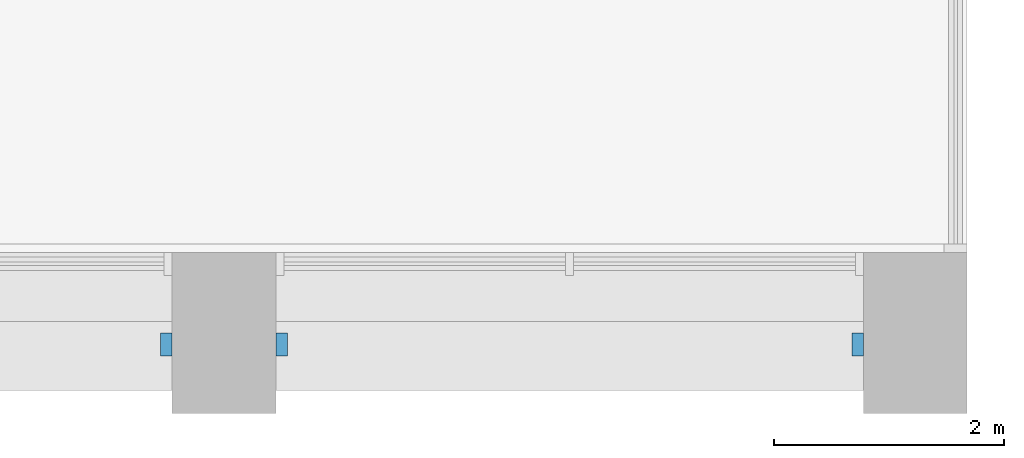
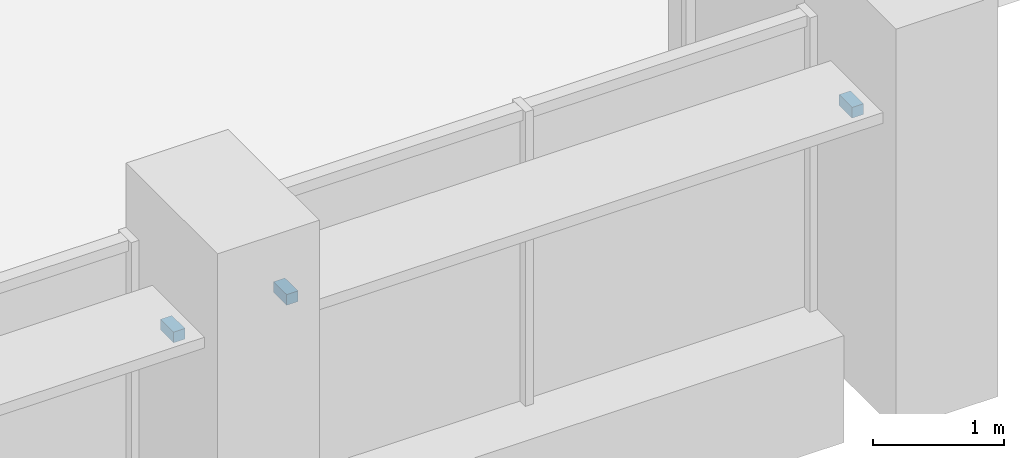
# One storey, part 14 of 15: 3 discrete accessories.
"""IFC4 building model written with IfcOpenShell, lengths in metres."""

from ifc_helpers import new_model, si_unit, direction, frame, origin, origin_2d, place, context, subcontext, project, spatial, rectangle, extrude, element, save


model = new_model("IFC4")

# Units and contexts
model_context = context("Model", 3, precision=1e-05, world=origin(), true_north=direction((0.0, 1.0)))
body_context = subcontext(model_context, "Body", "Model", "MODEL_VIEW")
ifc_project = project(units=[si_unit("LENGTHUNIT", "METRE"), si_unit("AREAUNIT", "SQUARE_METRE"), si_unit("VOLUMEUNIT", "CUBIC_METRE"), si_unit("PLANEANGLEUNIT", "RADIAN"), si_unit("MASSUNIT", "GRAM", prefix="KILO")], contexts=[model_context])

# Site, building, storey
site_placement = place(None, origin())
site = spatial("IfcSite", under=ifc_project, at=site_placement, CompositionType="ELEMENT")
building_placement = place(site_placement, origin())
building = spatial("IfcBuilding", under=site, at=building_placement, Name="Calvaro Tower", CompositionType="ELEMENT")
storey_placement = place(building_placement, frame((0.0, 0.0, 106.25)))
storey = spatial("IfcBuildingStorey", under=building, at=storey_placement, Name="L26", CompositionType="ELEMENT", Elevation=106.25)

# Discrete accessories
for number, where, z_axis, x_axis, name in (
    (1, (59.5, 2.10009765625, 2.25), (0.0, 0.0, 1.0), (1.0, 0.0, 0.0), "Brise-soleil bracket"),
    (2, (60.5, 2.10009765625, 2.25), (0.0, 0.0, 1.0), (1.0, 0.0, 0.0), "Brise-soleil bracket"),
    (3, (65.5, 2.10009765625, 2.25), (0.0, 0.0, 1.0), (1.0, 0.0, 0.0), "Brise-soleil bracket"),
):
    element("IfcDiscreteAccessory", number, at=place(storey_placement, frame(where, z_axis=z_axis, x_axis=x_axis)), inside=storey, Name=name, PredefinedType="BRACKET", context=body_context, shape_type="SweptSolid", body=[
        extrude(rectangle(XDim=0.10009765625, YDim=0.199951171875, at=origin_2d()), origin(), (0.0, 0.0, 1.0), 0.10009765625),
    ])

save(model, "model.ifc")
